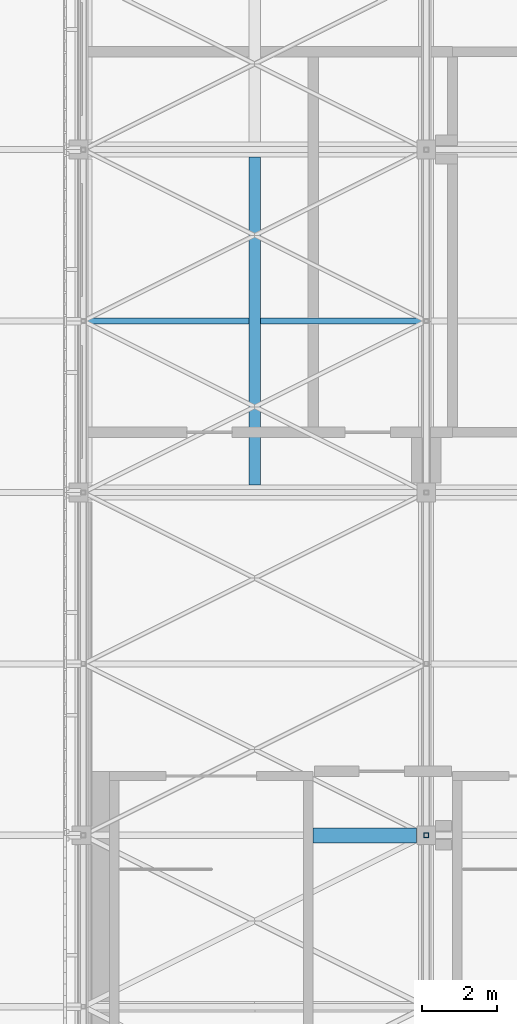
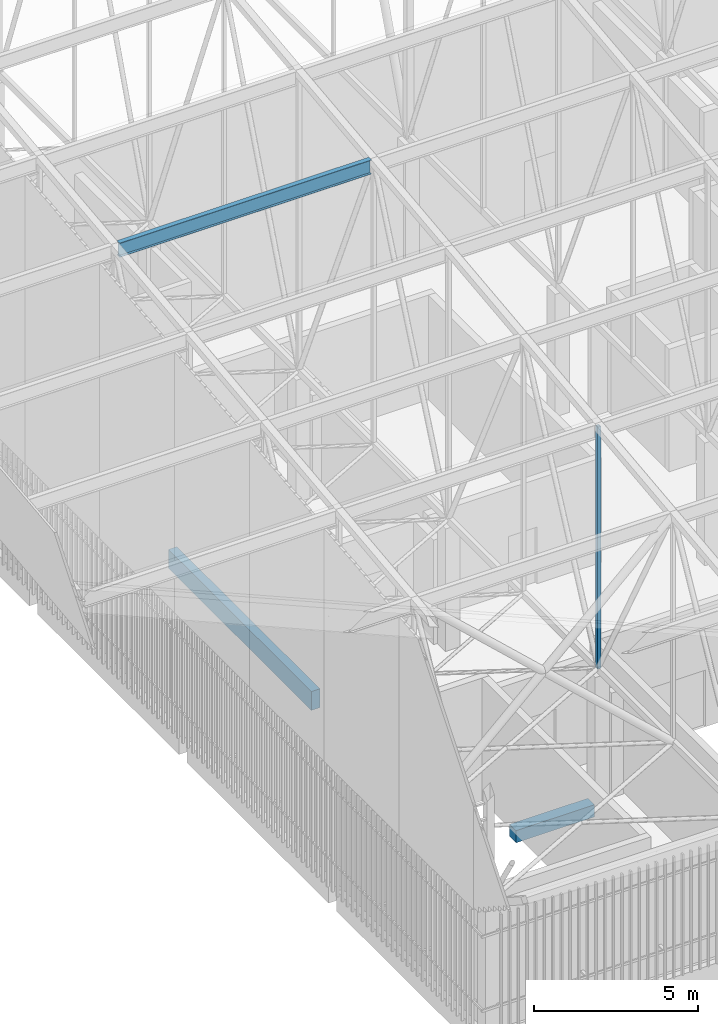
# One storey, part 17 of 500: 2 beams, 2 members.
"""IFC4 building model written with IfcOpenShell, lengths in metres."""

import ifcopenshell
import ifcopenshell.guid

model = None  # the IFC model being written
_history = None  # IfcOwnerHistory: only IFC2X3 demands one
_inside = {}  # id of a spatial element -> (the spatial element, [elements in it])
_under = {}  # id of a project, library or spatial element -> (it, [spatial elements below it])
_declared = {}  # id of a project -> (the project, [libraries it declares])
_typed = {}  # id of a type object -> (the type object, [elements of that type])
_made_of = {}  # id of a material, layer set ... -> (it, [elements and type objects made of it])


def new_model(schema):
    """Start an empty IFC model of exactly this schema.

    Asked for "IFC4X3", IfcOpenShell would pick the latest addendum, in which some entities
    have other attributes; the version numbers below select the first issue.
    IFC2X3 requires an IfcOwnerHistory on every rooted entity: one is made here for all.
    """
    global model, _history
    if schema == "IFC4X3":
        model = ifcopenshell.file(schema_version=(4, 3, 0, 0))
    else:
        model = ifcopenshell.file(schema=schema)
    _inside.clear()
    _under.clear()
    _declared.clear()
    _typed.clear()
    _made_of.clear()
    _history = None
    if model.schema == "IFC2X3":
        org = make("IfcOrganization", Name="unknown")
        user = make(
            "IfcPersonAndOrganization",
            ThePerson=make("IfcPerson", FamilyName="unknown"),
            TheOrganization=org,
        )
        app = make(
            "IfcApplication",
            ApplicationDeveloper=org,
            Version="unknown",
            ApplicationFullName="unknown",
            ApplicationIdentifier="unknown",
        )
        _history = make(
            "IfcOwnerHistory",
            OwningUser=user,
            OwningApplication=app,
            ChangeAction="ADDED",
            CreationDate=0,
        )
    return model


def make(cls, **values):
    """One entity of the class cls with the attributes given. An attribute that is None is left unset."""
    return model.create_entity(
        cls, **{name: value for name, value in values.items() if value is not None}
    )


def rooted(cls, **values):
    """An entity with a GlobalId (a new one), such as an element, a storey or a relation."""
    return make(cls, GlobalId=ifcopenshell.guid.new(), OwnerHistory=_history, **values)


def si_unit(unit_type, name, prefix=None):
    """IfcSIUnit, for example si_unit("LENGTHUNIT", "METRE", prefix="MILLI")."""
    return make("IfcSIUnit", UnitType=unit_type, Prefix=prefix, Name=name)


def assignment(units):
    """IfcUnitAssignment: the units of a project."""
    return None if units is None else make("IfcUnitAssignment", Units=units)


def point(xyz):
    """IfcCartesianPoint."""
    return None if xyz is None else make("IfcCartesianPoint", Coordinates=xyz)


def direction(xyz):
    """IfcDirection."""
    return None if xyz is None else make("IfcDirection", DirectionRatios=xyz)


def frame(location, z_axis=None, x_axis=None):
    """IfcAxis2Placement3D, a coordinate frame: its origin and axes. An axis left out is left unset."""
    return make(
        "IfcAxis2Placement3D",
        Location=point(location),
        Axis=direction(z_axis),
        RefDirection=direction(x_axis),
    )


def frame_2d(location, x_axis=None):
    """IfcAxis2Placement2D, a coordinate frame in the plane: its origin and x axis."""
    return make(
        "IfcAxis2Placement2D", Location=point(location), RefDirection=direction(x_axis)
    )


def origin():
    """The frame at (0, 0, 0) with its axes left unset."""
    return frame((0.0, 0.0, 0.0))


def origin_2d():
    """The frame at (0, 0) in the plane with its x axis left unset."""
    return frame_2d((0.0, 0.0))


def place(relative_to, where):
    """IfcLocalPlacement: puts the frame where relative to a parent placement (None: the world)."""
    return make(
        "IfcLocalPlacement", PlacementRelTo=relative_to, RelativePlacement=where
    )


def context(
    kind, dimensions, precision=None, world=None, true_north=None, identifier=None
):
    """IfcGeometricRepresentationContext, for example the 3D "Model" context."""
    return make(
        "IfcGeometricRepresentationContext",
        ContextIdentifier=identifier,
        ContextType=kind,
        CoordinateSpaceDimension=dimensions,
        Precision=precision,
        WorldCoordinateSystem=world,
        TrueNorth=true_north,
    )


def subcontext(parent, identifier, kind, view, scale=None):
    """IfcGeometricRepresentationSubContext, for example "Body" below "Model"."""
    return make(
        "IfcGeometricRepresentationSubContext",
        ContextIdentifier=identifier,
        ContextType=kind,
        ParentContext=parent,
        TargetScale=scale,
        TargetView=view,
    )


def project(units=None, contexts=None):
    """IfcProject with its units and contexts."""
    return rooted(
        "IfcProject",
        Name="project",
        RepresentationContexts=contexts,
        UnitsInContext=assignment(units),
    )


def spatial(cls, under=None, at=None, **own):
    """A site, building, storey or space (cls), placed at a placement, below another one or the project."""
    s = rooted(cls, ObjectPlacement=at, **own)
    if under is not None:
        _under.setdefault(under.id(), (under, []))[1].append(s)
    return s


def profile(cls, at=None, kind="AREA", **sizes):
    """A parametric profile (cls). Its sizes go by their IFC names, for example OverallWidth=200.0."""
    return make(cls, ProfileType=kind, Position=at, **sizes)


def rectangle(**sizes):
    """IfcRectangleProfileDef."""
    return profile("IfcRectangleProfileDef", **sizes)


def hollow_rectangle(**sizes):
    """IfcRectangleHollowProfileDef."""
    return profile("IfcRectangleHollowProfileDef", **sizes)


def i_section(**sizes):
    """IfcIShapeProfileDef."""
    return profile("IfcIShapeProfileDef", **sizes)


def extrude(swept, where, along, depth):
    """IfcExtrudedAreaSolid: the profile swept, set in the frame where, extruded along a direction by depth."""
    return make(
        "IfcExtrudedAreaSolid",
        SweptArea=swept,
        Position=where,
        ExtrudedDirection=direction(along),
        Depth=depth,
    )


def shape(context_of_items, identifier, shape_type, items):
    """IfcShapeRepresentation: the items that make up one representation, for example the "Body"."""
    return make(
        "IfcShapeRepresentation",
        ContextOfItems=context_of_items,
        RepresentationIdentifier=identifier,
        RepresentationType=shape_type,
        Items=items,
    )


def material(Name=None, Category=None):
    """IfcMaterial."""
    return make("IfcMaterial", Name=Name, Category=Category)


def material_profile(
    of_material, cross_section, Name=None, Category=None, Priority=None
):
    """IfcMaterialProfile: a cross section and its material."""
    return make(
        "IfcMaterialProfile",
        Name=Name,
        Material=of_material,
        Profile=cross_section,
        Priority=Priority,
        Category=Category,
    )


def profile_set(profiles, Name=None, composite=None):
    """IfcMaterialProfileSet."""
    return make(
        "IfcMaterialProfileSet",
        Name=Name,
        MaterialProfiles=profiles,
        CompositeProfile=composite,
    )


def made_of(thing, what):
    """Note that an element or type object is made of a material, layer set ...; save() writes the relation."""
    if what is not None:
        _made_of.setdefault(what.id(), (what, []))[1].append(thing)
    return thing


def type_object(cls, material=None, **own):
    """A type object (cls), such as IfcWallType, which elements share."""
    return made_of(rooted(cls, **own), material)


def element(
    cls,
    number,
    at=None,
    inside=None,
    cuts=None,
    type_object=None,
    material=None,
    context=None,
    identifier="Body",
    shape_type=None,
    held_by="IfcProductDefinitionShape",
    body=None,
    shapes=None,
    **own,
):
    """One element of the class cls, such as IfcWall. Its Tag is "e" and its number.

    at: its placement. inside: the storey or other place that contains it. cuts: it is an
    opening in that element (IfcRelVoidsElement). A single representation is given by context,
    identifier, shape_type and body (its items); several are given by shapes. held_by: the class
    of the entity that holds the representations. save() writes the other relations.
    """
    e = rooted(cls, Tag="e%d" % number, ObjectPlacement=at, **own)
    if body is not None:
        shapes = [shape(context, identifier, shape_type, body)]
    if shapes is not None:
        e.Representation = make(held_by, Representations=shapes)
    if inside is not None:
        _inside.setdefault(inside.id(), (inside, []))[1].append(e)
    if cuts is not None:
        rooted(
            "IfcRelVoidsElement", RelatingBuildingElement=cuts, RelatedOpeningElement=e
        )
    if type_object is not None:
        _typed.setdefault(type_object.id(), (type_object, []))[1].append(e)
    return made_of(e, material)


def aggregate(whole, parts):
    """IfcRelAggregates: a whole, such as a stair, and the parts it consists of."""
    return rooted("IfcRelAggregates", RelatingObject=whole, RelatedObjects=parts)


def save(model, path):
    """Write the relations noted so far, then the file.

    IfcRelAggregates (storeys below a building ...), IfcRelContainedInSpatialStructure (elements
    in a storey), IfcRelDefinesByType, IfcRelAssociatesMaterial and IfcRelDeclares: one each for
    every whole, place, type object, material and project.
    """
    for whole, parts in _under.values():
        aggregate(whole, parts)
    for where, things in _inside.values():
        rooted(
            "IfcRelContainedInSpatialStructure",
            RelatedElements=things,
            RelatingStructure=where,
        )
    for kind, things in _typed.values():
        rooted("IfcRelDefinesByType", RelatedObjects=things, RelatingType=kind)
    for what, things in _made_of.values():
        rooted("IfcRelAssociatesMaterial", RelatedObjects=things, RelatingMaterial=what)
    for by, libraries in _declared.values():
        rooted("IfcRelDeclares", RelatingContext=by, RelatedDefinitions=libraries)
    model.write(path)


model = new_model("IFC4")

# Units and contexts
model_context = context("Model", 3, precision=1e-05, world=origin(), true_north=direction((0.0, 1.0)))
body_context = subcontext(model_context, "Body", "Model", "MODEL_VIEW")
ifc_project = project(units=[si_unit("LENGTHUNIT", "METRE"), si_unit("AREAUNIT", "SQUARE_METRE"), si_unit("VOLUMEUNIT", "CUBIC_METRE"), si_unit("PLANEANGLEUNIT", "RADIAN"), si_unit("MASSUNIT", "GRAM", prefix="KILO")], contexts=[model_context])

# Site, building, storey
site_placement = place(None, origin())
site = spatial("IfcSite", under=ifc_project, at=site_placement, CompositionType="ELEMENT")
building_placement = place(site_placement, origin())
building = spatial("IfcBuilding", under=site, at=building_placement, Name="Shirokan Park Arena", CompositionType="ELEMENT")
storey_placement = place(building_placement, frame((0.0, 0.0, 29.1201171875)))
storey = spatial("IfcBuildingStorey", under=building, at=storey_placement, Name="L06", CompositionType="ELEMENT", Elevation=29.1201171875)

# Member
ifc_material_1 = material(Name="Steel ASTM A992", Category="steel")
ifc_material_profile_1 = material_profile(ifc_material_1, i_section(OverallWidth=0.166015625, OverallDepth=0.528076171875, WebThickness=0.009765625, FlangeThickness=0.013671875, at=origin_2d()), Name="W530X74")
ifc_profile_set_1 = profile_set([ifc_material_profile_1], Name="Steel ASTM A992")
member_type_1 = type_object("IfcMemberType", Name="Purlin W530X74", PredefinedType="PURLIN", material=ifc_profile_set_1)
member_1_placement = place(storey_placement, frame((0.126953125, 22.75, 15.0859375), z_axis=(1.0, 0.0, 0.0), x_axis=(0.0, 1.0, 0.0)))
element("IfcMember", 1, at=member_1_placement, inside=storey, type_object=member_type_1, Name="Purlin 8 bay 1", PredefinedType="PURLIN", context=body_context, shape_type="SweptSolid", body=[
    extrude(i_section(OverallWidth=0.166015625, OverallDepth=0.528076171875, WebThickness=0.009765625, FlangeThickness=0.013671875, at=origin_2d()), origin(), (0.0, 0.0, 1.0), 8.845947265625),
])

# Beams
ifc_material_2 = material(Name="Concrete C35", Category="concrete")
ifc_material_profile_2 = material_profile(ifc_material_2, rectangle(XDim=0.300048828125, YDim=0.699951171875, at=origin_2d()), Name="300x700")
ifc_profile_set_2 = profile_set([ifc_material_profile_2], Name="Concrete C35")
beam_type_1 = type_object("IfcBeamType", Name="RC joist 300x700", PredefinedType="JOIST", material=ifc_profile_set_2)
beam_1_placement = place(storey_placement, frame((4.550048828125, 18.39990234375, -0.550048828125), z_axis=(0.0, 1.0, 0.0), x_axis=(-1.0, 0.0, 0.0)))
element("IfcBeam", 2, at=beam_1_placement, inside=storey, type_object=beam_type_1, Name="Joist 1C L06", PredefinedType="JOIST", context=body_context, shape_type="SweptSolid", body=[
    extrude(rectangle(XDim=0.300048828125, YDim=0.699951171875, at=origin_2d()), origin(), (0.0, 0.0, 1.0), 8.7001953125),
])
ifc_material_profile_3 = material_profile(ifc_material_2, rectangle(XDim=0.39990234375, YDim=0.449951171875, at=origin_2d()), Name="400x450")
ifc_profile_set_3 = profile_set([ifc_material_profile_3], Name="Concrete C35")
beam_type_2 = type_object("IfcBeamType", Name="RC trimmer 400x450", PredefinedType="BEAM", material=ifc_profile_set_3)
beam_2_placement = place(storey_placement, frame((6.10009765625, 9.10009765625, -0.425048828125), z_axis=(1.0, 0.0, 0.0), x_axis=(0.0, 1.0, 0.0)))
element("IfcBeam", 3, at=beam_2_placement, inside=storey, type_object=beam_type_2, Name="Girder 1B-2B L06", PredefinedType="BEAM", context=body_context, shape_type="SweptSolid", body=[
    extrude(rectangle(XDim=0.39990234375, YDim=0.449951171875, at=origin_2d()), origin(), (0.0, 0.0, 1.0), 2.749755859375),
])

# Member
ifc_material_3 = material(Name="Steel ASTM A500 Grade C", Category="steel")
ifc_material_profile_4 = material_profile(ifc_material_3, hollow_rectangle(XDim=0.126953125, YDim=0.126953125, WallThickness=0.0126953125, at=origin_2d()), Name="HSS127X127X12.7")
ifc_profile_set_4 = profile_set([ifc_material_profile_4], Name="Steel ASTM A500 Grade C")
member_type_2 = type_object("IfcMemberType", Name="Truss post HSS127X127X12.7", PredefinedType="POST", material=ifc_profile_set_4)
member_2_placement = place(storey_placement, frame((9.10009765625, 9.10009765625, 4.677001953125), z_axis=(0.0, 0.0, 1.0), x_axis=(1.0, 0.0, 0.0)))
element("IfcMember", 4, at=member_2_placement, inside=storey, type_object=member_type_2, Name="Truss T02 post 5", PredefinedType="POST", context=body_context, shape_type="SweptSolid", body=[
    extrude(hollow_rectangle(XDim=0.126953125, YDim=0.126953125, WallThickness=0.0126953125, at=origin_2d()), origin(), (0.0, 0.0, 1.0), 8.98583984375),
])

save(model, "model.ifc")
